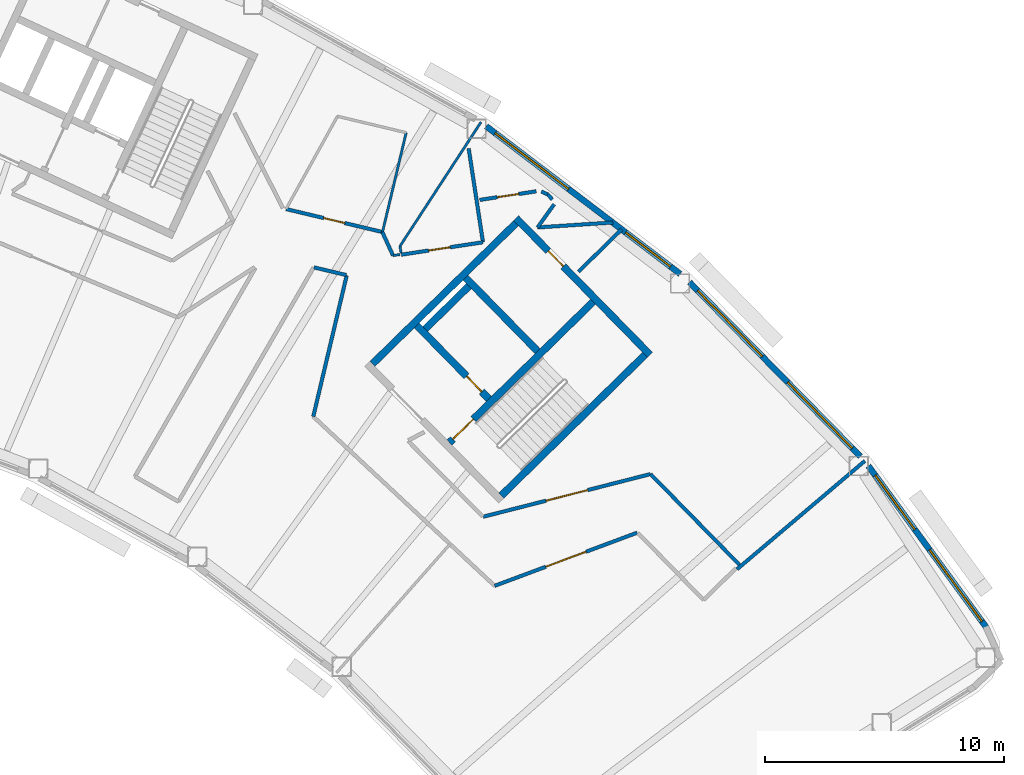
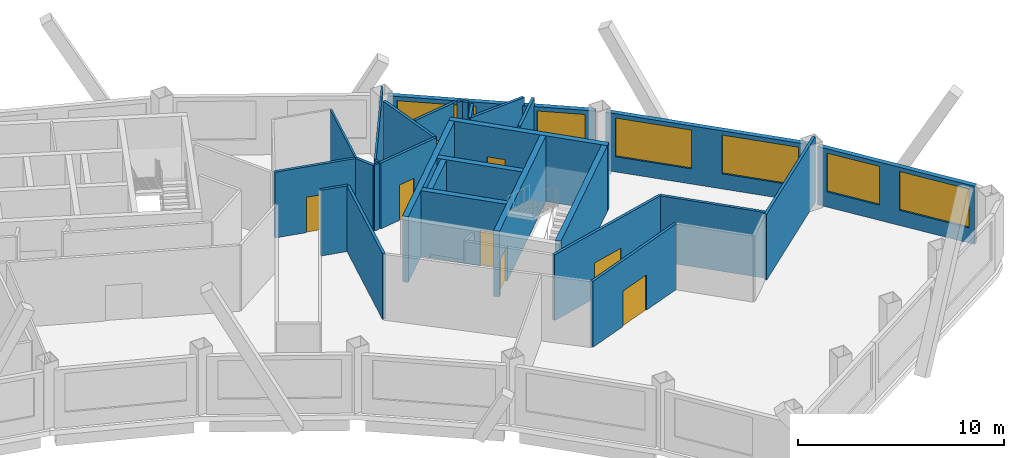
# One storey, part 8 of 13: 30 walls, 8 doors, 6 windows, 14 openings.
"""IFC4 building model written with IfcOpenShell, lengths in metres."""

from ifc_helpers import new_model, si_unit, direction, frame, frame_2d, origin, place, context, subcontext, project, spatial, rectangle, extrude, material, layer, layer_set, type_object, element, fill, save


model = new_model("IFC4")

# Units and contexts
model_context = context("Model", 3, precision=1e-05, world=origin(), true_north=direction((0.0, 1.0)))
body_context = subcontext(model_context, "Body", "Model", "MODEL_VIEW")
ifc_project = project(units=[si_unit("LENGTHUNIT", "METRE"), si_unit("AREAUNIT", "SQUARE_METRE"), si_unit("VOLUMEUNIT", "CUBIC_METRE"), si_unit("PLANEANGLEUNIT", "RADIAN"), si_unit("MASSUNIT", "GRAM", prefix="KILO")], contexts=[model_context])

# Site, building, storey
site_placement = place(None, origin())
site = spatial("IfcSite", under=ifc_project, at=site_placement, CompositionType="ELEMENT")
building_placement = place(site_placement, origin())
building = spatial("IfcBuilding", under=site, at=building_placement, Name="Tuul Gate Civic Tower", CompositionType="ELEMENT")
storey_placement = place(building_placement, frame((0.0, 0.0, 302.60009765625)))
storey = spatial("IfcBuildingStorey", under=building, at=storey_placement, Name="Level 68", CompositionType="ELEMENT", Elevation=302.60009765625)

# Wall, opening, door
ifc_material_1 = material(Name="Concrete C50/60", Category="concrete")
ifc_layer_1 = layer(ifc_material_1, 0.300048828125)
ifc_layer_set_1 = layer_set([ifc_layer_1], Name="Concrete C50/60")
wall_type_1 = type_object("IfcWallType", Name="Core wall C50/60", PredefinedType="SHEAR", material=ifc_layer_set_1)
wall_1_placement = place(storey_placement, frame((47.701904296875, -14.079833984375, 0.0), z_axis=(0.0, 0.0, 1.0), x_axis=(-0.700002721075, 0.714140175657, 0.0)))
wall_1 = element("IfcWall", 1, at=wall_1_placement, inside=storey, type_object=wall_type_1, Name="Core wall", PredefinedType="SHEAR", context=body_context, shape_type="SweptSolid", body=[
    extrude(rectangle(XDim=4.300048828125, YDim=0.300048828125, at=frame_2d((2.14990234375, 0.0))), origin(), (0.0, 0.0, 1.0), 3.89990234375),
])
opening_1_placement = place(wall_1_placement, frame((0.425048828125, 0.0, 0.0)))
opening_1 = element("IfcOpeningElement", 2, at=opening_1_placement, cuts=wall_1, Name="Opening FB-E1A1", PredefinedType="OPENING", context=body_context, shape_type="SweptSolid", body=[
    extrude(rectangle(XDim=0.89990234375, YDim=2.10009765625, at=frame_2d((0.449951171875, 1.050048828125))), frame((0.0, 0.16015625, 0.0), z_axis=(0.0, -1.0, 0.0), x_axis=(1.0, 0.0, 0.0)), (0.0, 0.0, 1.0), 0.320068359375),
])
ifc_material_2 = material(Name="Steel", Category="steel")
door_type_1 = type_object("IfcDoorType", Name="Store door", OperationType="NOTDEFINED", PredefinedType="DOOR", material=ifc_material_2)
door_1_placement = place(opening_1_placement, frame((0.89990234375, 0.0, 0.0), z_axis=(0.0, 0.0, 1.0), x_axis=(-1.0, 0.0, 0.0)))
door_1 = element("IfcDoor", 3, at=door_1_placement, inside=storey, type_object=door_type_1, Name="Store door E1A1", OperationType="SINGLE_SWING_RIGHT", OverallHeight=2.10009765625, OverallWidth=0.89990234375, PredefinedType="DOOR", context=body_context, shape_type="SweptSolid", body=[
    extrude(rectangle(XDim=0.89990234375, YDim=2.10009765625, at=frame_2d((0.449951171875, 1.050048828125))), frame((0.0, 0.02490234375, 0.0), z_axis=(0.0, -1.0, 0.0), x_axis=(1.0, 0.0, 0.0)), (0.0, 0.0, 1.0), 0.050048828125),
])
fill(opening_1, door_1)

# Wall
wall_2_placement = place(storey_placement, frame((49.737060546875, -12.0849609375, 0.0), z_axis=(0.0, 0.0, 1.0), x_axis=(-0.700002721075, 0.714140175657, 0.0)))
element("IfcWall", 4, at=wall_2_placement, inside=storey, type_object=wall_type_1, Name="Core wall", PredefinedType="SHEAR", context=body_context, shape_type="SweptSolid", body=[
    extrude(rectangle(XDim=4.300048828125, YDim=0.300048828125, at=frame_2d((2.14990234375, 0.0))), origin(), (0.0, 0.0, 1.0), 3.89990234375),
])

# Wall, opening, door
wall_3_placement = place(storey_placement, frame((54.43798828125, -12.23779296875, 0.0), z_axis=(0.0, 0.0, 1.0), x_axis=(-0.700021979774, 0.714121297703, 0.0)))
wall_3 = element("IfcWall", 5, at=wall_3_placement, inside=storey, type_object=wall_type_1, Name="Core wall", PredefinedType="SHEAR", context=body_context, shape_type="SweptSolid", body=[
    extrude(rectangle(XDim=8.0, YDim=0.300048828125, at=frame_2d((4.0, 0.0))), origin(), (0.0, 0.0, 1.0), 3.89990234375),
])
opening_2_placement = place(wall_3_placement, frame((5.175048828125, 0.0, 0.0)))
opening_2 = element("IfcOpeningElement", 6, at=opening_2_placement, cuts=wall_3, Name="Opening Y-D18", PredefinedType="OPENING", context=body_context, shape_type="SweptSolid", body=[
    extrude(rectangle(XDim=0.89990234375, YDim=2.10009765625, at=frame_2d((0.449951171875, 1.050048828125))), frame((0.0, 0.16015625, 0.0), z_axis=(0.0, -1.0, 0.0), x_axis=(1.0, 0.0, 0.0)), (0.0, 0.0, 1.0), 0.320068359375),
])
ifc_material_3 = material(Name="Timber door leaf", Category="wood")
door_type_2 = type_object("IfcDoorType", Name="Door D09", OperationType="NOTDEFINED", PredefinedType="DOOR", material=ifc_material_3)
door_2_placement = place(opening_2_placement, origin())
door_2 = element("IfcDoor", 7, at=door_2_placement, inside=storey, type_object=door_type_2, Name="Door Y-D18", OperationType="SINGLE_SWING_LEFT", OverallHeight=2.10009765625, OverallWidth=0.89990234375, PredefinedType="DOOR", context=body_context, shape_type="SweptSolid", body=[
    extrude(rectangle(XDim=0.89990234375, YDim=2.10009765625, at=frame_2d((0.449951171875, 1.050048828125))), frame((0.0, 0.02490234375, 0.0), z_axis=(0.0, -1.0, 0.0), x_axis=(1.0, 0.0, 0.0)), (0.0, 0.0, 1.0), 0.050048828125),
])
fill(opening_2, door_2)

# Wall
wall_4_placement = place(storey_placement, frame((48.227294921875, -18.115966796875, 0.0), z_axis=(0.0, 0.0, 1.0), x_axis=(0.714105315431, 0.700038283577, 0.0)))
element("IfcWall", 8, at=wall_4_placement, inside=storey, type_object=wall_type_1, Name="Core wall", PredefinedType="SHEAR", context=body_context, shape_type="SweptSolid", body=[
    extrude(rectangle(XDim=8.400146484375, YDim=0.300048828125, at=frame_2d((4.2001953125, 0.0))), origin(), (0.0, 0.0, 1.0), 3.89990234375),
])

# Wall, opening, door
wall_5_placement = place(storey_placement, frame((46.05712890625, -15.902099609375, 0.0), z_axis=(0.0, 0.0, 1.0), x_axis=(0.714134086973, 0.700008932674, 0.0)))
wall_5 = element("IfcWall", 9, at=wall_5_placement, inside=storey, type_object=wall_type_1, Name="Core wall", PredefinedType="SHEAR", context=body_context, shape_type="SweptSolid", body=[
    extrude(rectangle(XDim=8.400146484375, YDim=0.300048828125, at=frame_2d((4.2001953125, 0.0))), origin(), (0.0, 0.0, 1.0), 3.89990234375),
])
opening_3_placement = place(wall_5_placement, frame((0.199951171875, 0.0, 0.0)))
opening_3 = element("IfcOpeningElement", 10, at=opening_3_placement, cuts=wall_5, Name="Opening SD-ST-3", PredefinedType="OPENING", context=body_context, shape_type="SweptSolid", body=[
    extrude(rectangle(XDim=1.199951171875, YDim=2.10009765625, at=frame_2d((0.60009765625, 1.050048828125))), frame((0.0, 0.16015625, 0.0), z_axis=(0.0, -1.0, 0.0), x_axis=(1.0, 0.0, 0.0)), (0.0, 0.0, 1.0), 0.320068359375),
])
ifc_material_4 = material(Name="Steel", Category="steel")
door_type_3 = type_object("IfcDoorType", Name="Stair door", OperationType="NOTDEFINED", PredefinedType="DOOR", material=ifc_material_4)
door_3_placement = place(opening_3_placement, origin())
door_3 = element("IfcDoor", 11, at=door_3_placement, inside=storey, type_object=door_type_3, Name="Stair door ST-3", OperationType="SINGLE_SWING_LEFT", OverallHeight=2.10009765625, OverallWidth=1.199951171875, PredefinedType="DOOR", context=body_context, shape_type="SweptSolid", body=[
    extrude(rectangle(XDim=1.199951171875, YDim=2.10009765625, at=frame_2d((0.60009765625, 1.050048828125))), frame((0.0, 0.02490234375, 0.0), z_axis=(0.0, -1.0, 0.0), x_axis=(1.0, 0.0, 0.0)), (0.0, 0.0, 1.0), 0.050048828125),
])
fill(opening_3, door_3)

# Walls
wall_6_placement = place(storey_placement, frame((45.0439453125, -11.154052734375, 0.0), z_axis=(0.0, 0.0, 1.0), x_axis=(0.714108498262, 0.700035036773, 0.0)))
element("IfcWall", 12, at=wall_6_placement, inside=storey, type_object=wall_type_1, Name="Core wall", PredefinedType="SHEAR", context=body_context, shape_type="SweptSolid", body=[
    extrude(rectangle(XDim=2.550048828125, YDim=0.300048828125, at=frame_2d((1.27490234375, 0.0))), origin(), (0.0, 0.0, 1.0), 3.89990234375),
])
wall_7_placement = place(storey_placement, frame((42.837158203125, -12.616943359375, 0.0), z_axis=(0.0, 0.0, 1.0), x_axis=(0.714119844755, 0.700023461983, 0.0)))
element("IfcWall", 13, at=wall_7_placement, inside=storey, type_object=wall_type_1, Name="Core wall", PredefinedType="SHEAR", context=body_context, shape_type="SweptSolid", body=[
    extrude(rectangle(XDim=8.39990234375, YDim=0.300048828125, at=frame_2d((4.199951171875, 0.0))), origin(), (0.0, 0.0, 1.0), 3.89990234375),
])
ifc_material_5 = material(Name="Gypsum board partition")
ifc_layer_2 = layer(ifc_material_5, 0.14990234375)
ifc_layer_set_2 = layer_set([ifc_layer_2], Name="Gypsum board partition")
wall_type_2 = type_object("IfcWallType", Name="Corridor wall P150", PredefinedType="PARTITIONING", material=ifc_layer_set_2)
wall_8_placement = place(storey_placement, frame((54.457763671875, -17.220458984375, 0.0), z_axis=(0.0, 0.0, 1.0), x_axis=(0.699987707347, -0.714154891857, 0.0)))
element("IfcWall", 14, at=wall_8_placement, inside=storey, type_object=wall_type_2, Name="p004", PredefinedType="PARTITIONING", context=body_context, shape_type="SweptSolid", body=[
    extrude(rectangle(XDim=5.3076171875, YDim=0.14990234375, at=frame_2d((2.65380859375, 0.0))), origin(), (0.0, 0.0, 1.0), 3.89990234375),
])

# Wall, opening, door
wall_9_placement = place(storey_placement, frame((47.466796875, -19.002685546875, 0.0), z_axis=(0.0, 0.0, 1.0), x_axis=(0.968988956824, 0.247104029821, 0.0)))
wall_9 = element("IfcWall", 15, at=wall_9_placement, inside=storey, type_object=wall_type_2, Name="p005", PredefinedType="PARTITIONING", context=body_context, shape_type="SweptSolid", body=[
    extrude(rectangle(XDim=7.21337890625, YDim=0.14990234375, at=frame_2d((3.606689453125, 0.0))), origin(), (0.0, 0.0, 1.0), 3.89990234375),
])
opening_4_placement = place(wall_9_placement, frame((2.706787109375, 0.0, 0.0)))
opening_4 = element("IfcOpeningElement", 16, at=opening_4_placement, cuts=wall_9, Name="Opening Y-D01", PredefinedType="OPENING", context=body_context, shape_type="SweptSolid", body=[
    extrude(rectangle(XDim=1.800048828125, YDim=2.10009765625, at=frame_2d((0.89990234375, 1.050048828125))), frame((0.0, 0.0849609375, 0.0), z_axis=(0.0, -1.0, 0.0), x_axis=(1.0, 0.0, 0.0)), (0.0, 0.0, 1.0), 0.169921875),
])
ifc_material_6 = material(Name="Timber door leaf, double", Category="wood")
door_type_4 = type_object("IfcDoorType", Name="Door D18", OperationType="DOUBLE_DOOR_SINGLE_SWING", PredefinedType="DOOR", material=ifc_material_6)
door_4_placement = place(opening_4_placement, origin())
door_4 = element("IfcDoor", 17, at=door_4_placement, inside=storey, type_object=door_type_4, Name="Door Y-D01", OperationType="DOUBLE_DOOR_SINGLE_SWING", OverallHeight=2.10009765625, OverallWidth=1.800048828125, PredefinedType="DOOR", context=body_context, shape_type="SweptSolid", body=[
    extrude(rectangle(XDim=1.800048828125, YDim=2.10009765625, at=frame_2d((0.89990234375, 1.050048828125))), frame((0.0, 0.02490234375, 0.0), z_axis=(0.0, -1.0, 0.0), x_axis=(1.0, 0.0, 0.0)), (0.0, 0.0, 1.0), 0.050048828125),
])
fill(opening_4, door_4)

# Walls
wall_10_placement = place(storey_placement, frame((51.4501953125, -8.76025390625, 0.0), z_axis=(0.0, 0.0, 1.0), x_axis=(0.714081368042, 0.700062711345, 0.0)))
element("IfcWall", 18, at=wall_10_placement, inside=storey, type_object=wall_type_2, Name="p008", PredefinedType="PARTITIONING", context=body_context, shape_type="SweptSolid", body=[
    extrude(rectangle(XDim=2.525146484375, YDim=0.14990234375, at=frame_2d((1.2626953125, 0.0))), origin(), (0.0, 0.0, 1.0), 3.89990234375),
])
wall_11_placement = place(storey_placement, frame((58.072265625, -21.19677734375, 0.0), z_axis=(0.0, 0.0, 1.0), x_axis=(0.762848951286, 0.646576737535, 0.0)))
element("IfcWall", 19, at=wall_11_placement, inside=storey, type_object=wall_type_2, Name="p009", PredefinedType="PARTITIONING", context=body_context, shape_type="SweptSolid", body=[
    extrude(rectangle(XDim=7.00048828125, YDim=0.14990234375, at=frame_2d((3.500244140625, 0.0))), origin(), (0.0, 0.0, 1.0), 3.89990234375),
])

# Wall, opening, door
wall_12_placement = place(storey_placement, frame((44.044921875, -8.05322265625, 0.0), z_axis=(0.0, 0.0, 1.0), x_axis=(0.988596403611, 0.150589344802, 0.0)))
wall_12 = element("IfcWall", 20, at=wall_12_placement, inside=storey, type_object=wall_type_2, Name="p012", PredefinedType="PARTITIONING", context=body_context, shape_type="SweptSolid", body=[
    extrude(rectangle(XDim=3.449951171875, YDim=0.14990234375, at=frame_2d((1.72509765625, 0.0))), origin(), (0.0, 0.0, 1.0), 3.89990234375),
])
opening_5_placement = place(wall_12_placement, frame((1.159912109375, 0.0, 0.0)))
opening_5 = element("IfcOpeningElement", 21, at=opening_5_placement, cuts=wall_12, Name="Opening Y-D02", PredefinedType="OPENING", context=body_context, shape_type="SweptSolid", body=[
    extrude(rectangle(XDim=0.89990234375, YDim=2.10009765625, at=frame_2d((0.449951171875, 1.050048828125))), frame((0.0, 0.0849609375, 0.0), z_axis=(0.0, -1.0, 0.0), x_axis=(1.0, 0.0, 0.0)), (0.0, 0.0, 1.0), 0.169921875),
])
door_5_placement = place(opening_5_placement, origin())
door_5 = element("IfcDoor", 22, at=door_5_placement, inside=storey, type_object=door_type_2, Name="Door Y-D02", OperationType="SINGLE_SWING_LEFT", OverallHeight=2.10009765625, OverallWidth=0.89990234375, PredefinedType="DOOR", context=body_context, shape_type="SweptSolid", body=[
    extrude(rectangle(XDim=0.89990234375, YDim=2.10009765625, at=frame_2d((0.449951171875, 1.050048828125))), frame((0.0, 0.02490234375, 0.0), z_axis=(0.0, -1.0, 0.0), x_axis=(1.0, 0.0, 0.0)), (0.0, 0.0, 1.0), 0.050048828125),
])
fill(opening_5, door_5)

# Wall
wall_13_placement = place(storey_placement, frame((49.737060546875, -6.91455078125, 0.0), z_axis=(0.0, 0.0, 1.0), x_axis=(0.997841736388, 0.065664824079, 0.0)))
element("IfcWall", 23, at=wall_13_placement, inside=storey, type_object=wall_type_2, Name="p013", PredefinedType="PARTITIONING", context=body_context, shape_type="SweptSolid", body=[
    extrude(rectangle(XDim=3.149169921875, YDim=0.14990234375, at=frame_2d((1.57470703125, 0.0))), origin(), (0.0, 0.0, 1.0), 3.89990234375),
])

# Wall, opening, door
wall_14_placement = place(storey_placement, frame((39.226806640625, -6.146240234375, 0.0), z_axis=(0.0, 0.0, 1.0), x_axis=(0.972722701554, -0.231971002242, 0.0)))
wall_14 = element("IfcWall", 24, at=wall_14_placement, inside=storey, type_object=wall_type_2, Name="p017", PredefinedType="PARTITIONING", context=body_context, shape_type="SweptSolid", body=[
    extrude(rectangle(XDim=4.1435546875, YDim=0.14990234375, at=frame_2d((2.07177734375, 0.0))), origin(), (0.0, 0.0, 1.0), 3.89990234375),
])
opening_6_placement = place(wall_14_placement, frame((1.616943359375, 0.0, 0.0)))
opening_6 = element("IfcOpeningElement", 25, at=opening_6_placement, cuts=wall_14, Name="Opening Y-D03", PredefinedType="OPENING", context=body_context, shape_type="SweptSolid", body=[
    extrude(rectangle(XDim=0.89990234375, YDim=2.10009765625, at=frame_2d((0.449951171875, 1.050048828125))), frame((0.0, 0.0849609375, 0.0), z_axis=(0.0, -1.0, 0.0), x_axis=(1.0, 0.0, 0.0)), (0.0, 0.0, 1.0), 0.169921875),
])
door_6_placement = place(opening_6_placement, origin())
door_6 = element("IfcDoor", 26, at=door_6_placement, inside=storey, type_object=door_type_2, Name="Door Y-D03", OperationType="SINGLE_SWING_RIGHT", OverallHeight=2.10009765625, OverallWidth=0.89990234375, PredefinedType="DOOR", context=body_context, shape_type="SweptSolid", body=[
    extrude(rectangle(XDim=0.89990234375, YDim=2.10009765625, at=frame_2d((0.449951171875, 1.050048828125))), frame((0.0, 0.02490234375, 0.0), z_axis=(0.0, -1.0, 0.0), x_axis=(1.0, 0.0, 0.0)), (0.0, 0.0, 1.0), 0.050048828125),
])
fill(opening_6, door_6)

# Wall
wall_15_placement = place(storey_placement, frame((43.247802734375, -7.105224609375, 0.0), z_axis=(0.0, 0.0, 1.0), x_axis=(0.416041876588, -0.909345455218, 0.0)))
element("IfcWall", 27, at=wall_15_placement, inside=storey, type_object=wall_type_2, Name="p018", PredefinedType="PARTITIONING", context=body_context, shape_type="SweptSolid", body=[
    extrude(rectangle(XDim=1.083740234375, YDim=0.14990234375, at=frame_2d((0.5419921875, 0.0))), origin(), (0.0, 0.0, 1.0), 3.89990234375),
])

# Wall, opening, door
wall_16_placement = place(storey_placement, frame((47.9443359375, -21.889892578125, 0.0), z_axis=(0.0, 0.0, 1.0), x_axis=(0.936968482733, 0.349413884046, 0.0)))
wall_16 = element("IfcWall", 28, at=wall_16_placement, inside=storey, type_object=wall_type_2, Name="p050", PredefinedType="PARTITIONING", context=body_context, shape_type="SweptSolid", body=[
    extrude(rectangle(XDim=6.356201171875, YDim=0.14990234375, at=frame_2d((3.17822265625, 0.0))), origin(), (0.0, 0.0, 1.0), 3.89990234375),
])
opening_7_placement = place(wall_16_placement, frame((2.278076171875, 0.0, 0.0)))
opening_7 = element("IfcOpeningElement", 29, at=opening_7_placement, cuts=wall_16, Name="Opening Y-D07", PredefinedType="OPENING", context=body_context, shape_type="SweptSolid", body=[
    extrude(rectangle(XDim=1.800048828125, YDim=2.10009765625, at=frame_2d((0.89990234375, 1.050048828125))), frame((0.0, 0.0849609375, 0.0), z_axis=(0.0, -1.0, 0.0), x_axis=(1.0, 0.0, 0.0)), (0.0, 0.0, 1.0), 0.169921875),
])
door_7_placement = place(opening_7_placement, frame((1.800048828125, 0.0, 0.0), z_axis=(0.0, 0.0, 1.0), x_axis=(-1.0, 0.0, 0.0)))
door_7 = element("IfcDoor", 30, at=door_7_placement, inside=storey, type_object=door_type_4, Name="Door Y-D07", OperationType="DOUBLE_DOOR_SINGLE_SWING", OverallHeight=2.10009765625, OverallWidth=1.800048828125, PredefinedType="DOOR", context=body_context, shape_type="SweptSolid", body=[
    extrude(rectangle(XDim=1.800048828125, YDim=2.10009765625, at=frame_2d((0.900146484375, 1.050048828125))), frame((0.0, 0.02490234375, 0.0), z_axis=(0.0, -1.0, 0.0), x_axis=(1.0, 0.0, 0.0)), (0.0, 0.0, 1.0), 0.050048828125),
])
fill(opening_7, door_7)

# Walls
wall_17_placement = place(storey_placement, frame((40.397216796875, -8.583984375, 0.0), z_axis=(0.0, 0.0, 1.0), x_axis=(0.972749430583, -0.231858890922, 0.0)))
element("IfcWall", 31, at=wall_17_placement, inside=storey, type_object=wall_type_2, Name="p059", PredefinedType="PARTITIONING", context=body_context, shape_type="SweptSolid", body=[
    extrude(rectangle(XDim=1.384765625, YDim=0.14990234375, at=frame_2d((0.6923828125, 0.0))), origin(), (0.0, 0.0, 1.0), 3.89990234375),
])
wall_18_placement = place(storey_placement, frame((40.364501953125, -14.81640625, 0.0), z_axis=(0.0, 0.0, 1.0), x_axis=(0.230468393263, 0.973079811581, 0.0)))
element("IfcWall", 32, at=wall_18_placement, inside=storey, type_object=wall_type_2, Name="p060", PredefinedType="PARTITIONING", context=body_context, shape_type="SweptSolid", body=[
    extrude(rectangle(XDim=6.05517578125, YDim=0.14990234375, at=frame_2d((3.027587890625, 0.0))), origin(), (0.0, 0.0, 1.0), 3.89990234375),
])
wall_19_placement = place(storey_placement, frame((46.8583984375, -3.61328125, 0.0), z_axis=(0.0, 0.0, 1.0), x_axis=(0.150576717592, -0.988598326986, 0.0)))
element("IfcWall", 33, at=wall_19_placement, inside=storey, type_object=wall_type_2, Name="p091", PredefinedType="PARTITIONING", context=body_context, shape_type="SweptSolid", body=[
    extrude(rectangle(XDim=3.9658203125, YDim=0.14990234375, at=frame_2d((1.98291015625, 0.0))), origin(), (0.0, 0.0, 1.0), 3.89990234375),
])

# Wall, opening, door
wall_20_placement = place(storey_placement, frame((47.319580078125, -5.76416015625, 0.0), z_axis=(0.0, 0.0, 1.0), x_axis=(0.988598667158, 0.150574484203, 0.0)))
wall_20 = element("IfcWall", 34, at=wall_20_placement, inside=storey, type_object=wall_type_2, Name="p092", PredefinedType="PARTITIONING", context=body_context, shape_type="SweptSolid", body=[
    extrude(rectangle(XDim=2.388427734375, YDim=0.14990234375, at=frame_2d((1.1943359375, 0.0))), origin(), (0.0, 0.0, 1.0), 3.89990234375),
])
opening_8_placement = place(wall_20_placement, frame((0.744140625, 0.0, 0.0)))
opening_8 = element("IfcOpeningElement", 35, at=opening_8_placement, cuts=wall_20, Name="Opening Y-D15", PredefinedType="OPENING", context=body_context, shape_type="SweptSolid", body=[
    extrude(rectangle(XDim=0.89990234375, YDim=2.10009765625, at=frame_2d((0.449951171875, 1.050048828125))), frame((0.0, 0.0849609375, 0.0), z_axis=(0.0, -1.0, 0.0), x_axis=(1.0, 0.0, 0.0)), (0.0, 0.0, 1.0), 0.169921875),
])
door_8_placement = place(opening_8_placement, origin())
door_8 = element("IfcDoor", 36, at=door_8_placement, inside=storey, type_object=door_type_2, Name="Door Y-D15", OperationType="SINGLE_SWING_LEFT", OverallHeight=2.10009765625, OverallWidth=0.89990234375, PredefinedType="DOOR", context=body_context, shape_type="SweptSolid", body=[
    extrude(rectangle(XDim=0.89990234375, YDim=2.10009765625, at=frame_2d((0.449951171875, 1.050048828125))), frame((0.0, 0.02490234375, 0.0), z_axis=(0.0, -1.0, 0.0), x_axis=(1.0, 0.0, 0.0)), (0.0, 0.0, 1.0), 0.050048828125),
])
fill(opening_8, door_8)

# Walls
wall_21_placement = place(storey_placement, frame((49.895751953125, -5.4130859375, 0.0), z_axis=(0.0, 0.0, 1.0), x_axis=(0.90980768744, -0.415030085505, 0.0)))
element("IfcWall", 37, at=wall_21_placement, inside=storey, type_object=wall_type_2, Name="p093", PredefinedType="PARTITIONING", context=body_context, shape_type="SweptSolid", body=[
    extrude(rectangle(XDim=0.28466796875, YDim=0.14990234375, at=frame_2d((0.142333984375, 0.0))), origin(), (0.0, 0.0, 1.0), 3.89990234375),
])
wall_22_placement = place(storey_placement, frame((50.15478515625, -5.53125, 0.0), z_axis=(0.0, 0.0, 1.0), x_axis=(0.681984488791, -0.731366636543, 0.0)))
element("IfcWall", 38, at=wall_22_placement, inside=storey, type_object=wall_type_2, Name="p094", PredefinedType="PARTITIONING", context=body_context, shape_type="SweptSolid", body=[
    extrude(rectangle(XDim=0.286865234375, YDim=0.14990234375, at=frame_2d((0.1435546875, 0.0))), origin(), (0.0, 0.0, 1.0), 3.89990234375),
])
wall_23_placement = place(storey_placement, frame((50.427490234375, -5.949462890625, 0.0), z_axis=(0.0, 0.0, 1.0), x_axis=(-0.581744013419, -0.813371933897, 0.0)))
element("IfcWall", 39, at=wall_23_placement, inside=storey, type_object=wall_type_2, Name="p095", PredefinedType="PARTITIONING", context=body_context, shape_type="SweptSolid", body=[
    extrude(rectangle(XDim=1.186767578125, YDim=0.14990234375, at=frame_2d((0.59326171875, 0.0))), origin(), (0.0, 0.0, 1.0), 3.89990234375),
])

# Wall, openings, windows
ifc_material_7 = material(Name="Precast concrete C40/50", Category="concrete")
ifc_layer_3 = layer(ifc_material_7, 0.25)
ifc_layer_set_3 = layer_set([ifc_layer_3], Name="Precast concrete C40/50")
wall_type_3 = type_object("IfcWallType", Name="External wall", PredefinedType="STANDARD", material=ifc_layer_set_3)
wall_24_placement = place(storey_placement, frame((68.47802734375, -23.61376953125, 0.0), z_axis=(0.0, 0.0, 1.0), x_axis=(-0.589827901293, 0.807528975862, 0.0)))
wall_24 = element("IfcWall", 40, at=wall_24_placement, inside=storey, type_object=wall_type_3, Name="External wall", PredefinedType="STANDARD", context=body_context, shape_type="SweptSolid", body=[
    extrude(rectangle(XDim=8.337890625, YDim=0.25, at=frame_2d((4.1689453125, 0.0))), origin(), (0.0, 0.0, 1.0), 3.449951171875),
])
opening_9_placement = place(wall_24_placement, frame((0.301025390625, 0.0, 0.89990234375)))
opening_9 = element("IfcOpeningElement", 41, at=opening_9_placement, cuts=wall_24, Name="Opening W21", PredefinedType="OPENING", context=body_context, shape_type="SweptSolid", body=[
    extrude(rectangle(XDim=3.699951171875, YDim=2.300048828125, at=frame_2d((1.85009765625, 1.14990234375))), frame((0.0, 0.135009765625, 0.0), z_axis=(0.0, -1.0, 0.0), x_axis=(1.0, 0.0, 0.0)), (0.0, 0.0, 1.0), 0.27001953125),
])
opening_10_placement = place(wall_24_placement, frame((5.052978515625, 0.0, 0.89990234375)))
opening_10 = element("IfcOpeningElement", 42, at=opening_10_placement, cuts=wall_24, Name="Opening W23", PredefinedType="OPENING", context=body_context, shape_type="SweptSolid", body=[
    extrude(rectangle(XDim=2.800048828125, YDim=2.300048828125, at=frame_2d((1.39990234375, 1.14990234375))), frame((0.0, 0.135009765625, 0.0), z_axis=(0.0, -1.0, 0.0), x_axis=(1.0, 0.0, 0.0)), (0.0, 0.0, 1.0), 0.27001953125),
])
ifc_material_8 = material(Name="Glass", Category="glass")
window_type_1 = type_object("IfcWindowType", Name="Window W21 3700 x 2300", PartitioningType="SINGLE_PANEL", PredefinedType="WINDOW", material=ifc_material_8)
window_1_placement = place(opening_9_placement, origin())
window_1 = element("IfcWindow", 43, at=window_1_placement, inside=storey, type_object=window_type_1, Name="Window", OverallHeight=2.300048828125, OverallWidth=3.699951171875, PartitioningType="SINGLE_PANEL", PredefinedType="WINDOW", context=body_context, shape_type="SweptSolid", body=[
    extrude(rectangle(XDim=3.699951171875, YDim=2.300048828125, at=frame_2d((1.85009765625, 1.14990234375))), frame((0.0, 0.030029296875, 0.0), z_axis=(0.0, -1.0, 0.0), x_axis=(1.0, 0.0, 0.0)), (0.0, 0.0, 1.0), 0.06005859375),
])
fill(opening_9, window_1)
ifc_material_9 = material(Name="Glass", Category="glass")
window_type_2 = type_object("IfcWindowType", Name="Window W23 2800 x 2300", PartitioningType="SINGLE_PANEL", PredefinedType="WINDOW", material=ifc_material_9)
window_2_placement = place(opening_10_placement, origin())
window_2 = element("IfcWindow", 44, at=window_2_placement, inside=storey, type_object=window_type_2, Name="Window", OverallHeight=2.300048828125, OverallWidth=2.800048828125, PartitioningType="SINGLE_PANEL", PredefinedType="WINDOW", context=body_context, shape_type="SweptSolid", body=[
    extrude(rectangle(XDim=2.800048828125, YDim=2.300048828125, at=frame_2d((1.39990234375, 1.14990234375))), frame((0.0, 0.030029296875, 0.0), z_axis=(0.0, -1.0, 0.0), x_axis=(1.0, 0.0, 0.0)), (0.0, 0.0, 1.0), 0.06005859375),
])
fill(opening_10, window_2)

wall_25_placement = place(storey_placement, frame((63.22314453125, -16.48388671875, 0.0), z_axis=(0.0, 0.0, 1.0), x_axis=(-0.700055609081, 0.714088330807, 0.0)))
wall_25 = element("IfcWall", 45, at=wall_25_placement, inside=storey, type_object=wall_type_3, Name="External wall", PredefinedType="STANDARD", context=body_context, shape_type="SweptSolid", body=[
    extrude(rectangle(XDim=10.1953125, YDim=0.25, at=frame_2d((5.09765625, 0.0))), origin(), (0.0, 0.0, 1.0), 3.449951171875),
])
opening_11_placement = place(wall_25_placement, frame((0.48681640625, 0.0, 0.89990234375)))
opening_11 = element("IfcOpeningElement", 46, at=opening_11_placement, cuts=wall_25, Name="Opening W22", PredefinedType="OPENING", context=body_context, shape_type="SweptSolid", body=[
    extrude(rectangle(XDim=3.85009765625, YDim=2.300048828125, at=frame_2d((1.925048828125, 1.14990234375))), frame((0.0, 0.135009765625, 0.0), z_axis=(0.0, -1.0, 0.0), x_axis=(1.0, 0.0, 0.0)), (0.0, 0.0, 1.0), 0.27001953125),
])
opening_12_placement = place(wall_25_placement, frame((5.85791015625, 0.0, 0.89990234375)))
opening_12 = element("IfcOpeningElement", 47, at=opening_12_placement, cuts=wall_25, Name="Opening W22", PredefinedType="OPENING", context=body_context, shape_type="SweptSolid", body=[
    extrude(rectangle(XDim=3.85009765625, YDim=2.300048828125, at=frame_2d((1.925048828125, 1.14990234375))), frame((0.0, 0.135009765625, 0.0), z_axis=(0.0, -1.0, 0.0), x_axis=(1.0, 0.0, 0.0)), (0.0, 0.0, 1.0), 0.27001953125),
])
ifc_material_10 = material(Name="Glass", Category="glass")
window_type_3 = type_object("IfcWindowType", Name="Window W22 3850 x 2300", PartitioningType="SINGLE_PANEL", PredefinedType="WINDOW", material=ifc_material_10)
window_3_placement = place(opening_11_placement, origin())
window_3 = element("IfcWindow", 48, at=window_3_placement, inside=storey, type_object=window_type_3, Name="Window", OverallHeight=2.300048828125, OverallWidth=3.85009765625, PartitioningType="SINGLE_PANEL", PredefinedType="WINDOW", context=body_context, shape_type="SweptSolid", body=[
    extrude(rectangle(XDim=3.85009765625, YDim=2.300048828125, at=frame_2d((1.925048828125, 1.14990234375))), frame((0.0, 0.030029296875, 0.0), z_axis=(0.0, -1.0, 0.0), x_axis=(1.0, 0.0, 0.0)), (0.0, 0.0, 1.0), 0.06005859375),
])
fill(opening_11, window_3)
window_4_placement = place(opening_12_placement, origin())
window_4 = element("IfcWindow", 49, at=window_4_placement, inside=storey, type_object=window_type_3, Name="Window", OverallHeight=2.300048828125, OverallWidth=3.85009765625, PartitioningType="SINGLE_PANEL", PredefinedType="WINDOW", context=body_context, shape_type="SweptSolid", body=[
    extrude(rectangle(XDim=3.85009765625, YDim=2.300048828125, at=frame_2d((1.925048828125, 1.14990234375))), frame((0.0, 0.030029296875, 0.0), z_axis=(0.0, -1.0, 0.0), x_axis=(1.0, 0.0, 0.0)), (0.0, 0.0, 1.0), 0.06005859375),
])
fill(opening_12, window_4)

wall_26_placement = place(storey_placement, frame((55.6962890625, -8.85888671875, 0.0), z_axis=(0.0, 0.0, 1.0), x_axis=(-0.795610476584, 0.605808525485, 0.0)))
wall_26 = element("IfcWall", 50, at=wall_26_placement, inside=storey, type_object=wall_type_3, Name="External wall", PredefinedType="STANDARD", context=body_context, shape_type="SweptSolid", body=[
    extrude(rectangle(XDim=10.1875, YDim=0.25, at=frame_2d((5.09375, 0.0))), origin(), (0.0, 0.0, 1.0), 3.449951171875),
])
opening_13_placement = place(wall_26_placement, frame((5.865478515625, 0.0, 0.89990234375)))
opening_13 = element("IfcOpeningElement", 51, at=opening_13_placement, cuts=wall_26, Name="Opening W22", PredefinedType="OPENING", context=body_context, shape_type="SweptSolid", body=[
    extrude(rectangle(XDim=3.85009765625, YDim=2.300048828125, at=frame_2d((1.925048828125, 1.14990234375))), frame((0.0, 0.135009765625, 0.0), z_axis=(0.0, -1.0, 0.0), x_axis=(1.0, 0.0, 0.0)), (0.0, 0.0, 1.0), 0.27001953125),
])
opening_14_placement = place(wall_26_placement, frame((0.509033203125, 0.0, 0.89990234375)))
opening_14 = element("IfcOpeningElement", 52, at=opening_14_placement, cuts=wall_26, Name="Opening W52", PredefinedType="OPENING", context=body_context, shape_type="SweptSolid", body=[
    extrude(rectangle(XDim=2.35009765625, YDim=2.300048828125, at=frame_2d((1.175048828125, 1.14990234375))), frame((0.0, 0.135009765625, 0.0), z_axis=(0.0, -1.0, 0.0), x_axis=(1.0, 0.0, 0.0)), (0.0, 0.0, 1.0), 0.27001953125),
])
ifc_material_11 = material(Name="Glass", Category="glass")
window_type_4 = type_object("IfcWindowType", Name="Window 2350 x 2300", PartitioningType="SINGLE_PANEL", PredefinedType="WINDOW", material=ifc_material_11)
window_5_placement = place(opening_14_placement, origin())
window_5 = element("IfcWindow", 53, at=window_5_placement, inside=storey, type_object=window_type_4, Name="Window", OverallHeight=2.300048828125, OverallWidth=2.35009765625, PartitioningType="SINGLE_PANEL", PredefinedType="WINDOW", context=body_context, shape_type="SweptSolid", body=[
    extrude(rectangle(XDim=2.35009765625, YDim=2.300048828125, at=frame_2d((1.175048828125, 1.14990234375))), frame((0.0, 0.030029296875, 0.0), z_axis=(0.0, -1.0, 0.0), x_axis=(1.0, 0.0, 0.0)), (0.0, 0.0, 1.0), 0.06005859375),
])
fill(opening_14, window_5)
window_6_placement = place(opening_13_placement, origin())
window_6 = element("IfcWindow", 54, at=window_6_placement, inside=storey, type_object=window_type_3, Name="Window", OverallHeight=2.300048828125, OverallWidth=3.85009765625, PartitioningType="SINGLE_PANEL", PredefinedType="WINDOW", context=body_context, shape_type="SweptSolid", body=[
    extrude(rectangle(XDim=3.85009765625, YDim=2.300048828125, at=frame_2d((1.925048828125, 1.14990234375))), frame((0.0, 0.030029296875, 0.0), z_axis=(0.0, -1.0, 0.0), x_axis=(1.0, 0.0, 0.0)), (0.0, 0.0, 1.0), 0.06005859375),
])
fill(opening_13, window_6)

# Walls
ifc_material_12 = material(Name="Gypsum board partition")
ifc_layer_4 = layer(ifc_material_12, 0.10009765625)
ifc_layer_set_4 = layer_set([ifc_layer_4], Name="Gypsum board partition")
wall_type_4 = type_object("IfcWallType", Name="Partition P100", PredefinedType="PARTITIONING", material=ifc_layer_set_4)
wall_27_placement = place(storey_placement, frame((43.989990234375, -7.692626953125, 0.0), z_axis=(0.0, 0.0, 1.0), x_axis=(0.546740898534, 0.837301851109, 0.0)))
element("IfcWall", 55, at=wall_27_placement, inside=storey, type_object=wall_type_4, Name="p010", PredefinedType="PARTITIONING", context=body_context, shape_type="SweptSolid", body=[
    extrude(rectangle(XDim=6.18505859375, YDim=0.10009765625, at=frame_2d((3.092529296875, 0.0))), origin(), (0.0, 0.0, 1.0), 3.89990234375),
])
wall_28_placement = place(storey_placement, frame((43.25439453125, -7.116455078125, 0.0), z_axis=(0.0, 0.0, 1.0), x_axis=(0.231833944955, 0.972755376221, 0.0)))
element("IfcWall", 56, at=wall_28_placement, inside=storey, type_object=wall_type_4, Name="p016", PredefinedType="PARTITIONING", context=body_context, shape_type="SweptSolid", body=[
    extrude(rectangle(XDim=4.278564453125, YDim=0.10009765625, at=frame_2d((2.13916015625, 0.0))), origin(), (0.0, 0.0, 1.0), 3.89990234375),
])
wall_29_placement = place(storey_placement, frame((43.989990234375, -7.692626953125, 0.0), z_axis=(0.0, 0.0, 1.0), x_axis=(0.150853826342, -0.988556079885, 0.0)))
element("IfcWall", 57, at=wall_29_placement, inside=storey, type_object=wall_type_4, Name="p096", PredefinedType="PARTITIONING", context=body_context, shape_type="SweptSolid", body=[
    extrude(rectangle(XDim=0.289794921875, YDim=0.10009765625, at=frame_2d((0.14501953125, 0.0))), origin(), (0.0, 0.0, 1.0), 3.89990234375),
])
wall_30_placement = place(storey_placement, frame((43.69873046875, -8.0908203125, 0.0), z_axis=(0.0, 0.0, 1.0), x_axis=(0.988560456351, 0.150825144253, 0.0)))
element("IfcWall", 58, at=wall_30_placement, inside=storey, type_object=wall_type_4, Name="p098", PredefinedType="PARTITIONING", context=body_context, shape_type="SweptSolid", body=[
    extrude(rectangle(XDim=0.2978515625, YDim=0.10009765625, at=frame_2d((0.14892578125, 0.0))), origin(), (0.0, 0.0, 1.0), 3.89990234375),
])

save(model, "model.ifc")
